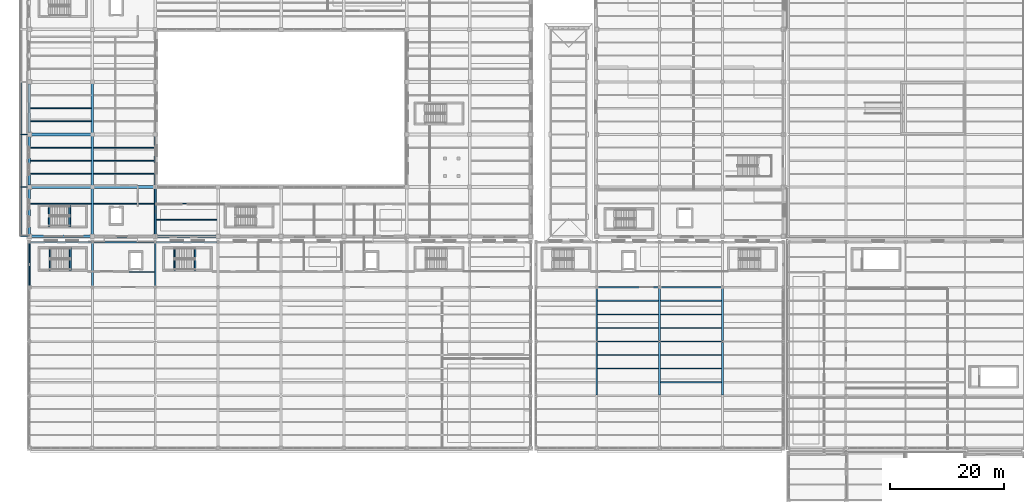
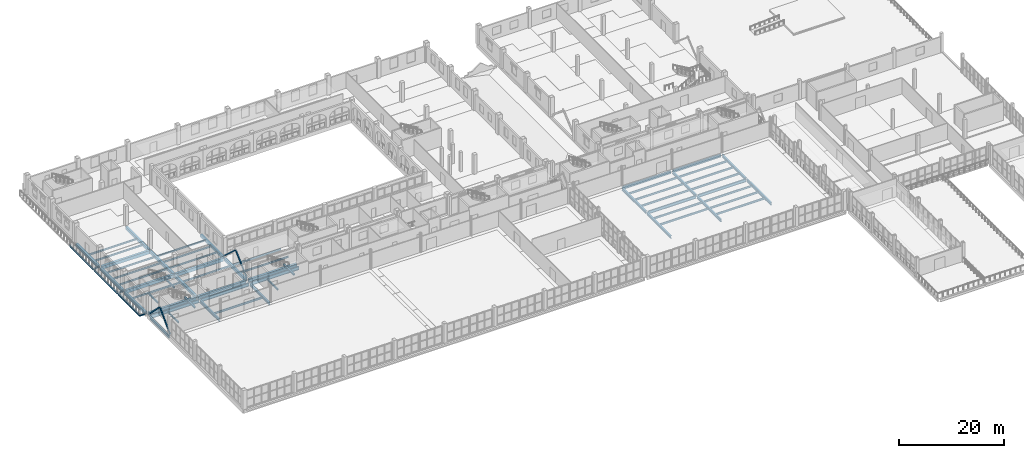
# One storey, part 42 of 156: 66 beams, 4 members.
"""IFC4 building model written with IfcOpenShell, lengths in metres."""

from ifc_helpers import new_model, si_unit, direction, frame, origin, origin_2d, place, context, subcontext, project, spatial, rectangle, hollow_rectangle, i_section, extrude, material, material_profile, profile_set, type_object, element, save


model = new_model("IFC4")

# Units and contexts
model_context = context("Model", 3, precision=1e-05, world=origin(), true_north=direction((0.0, 1.0)))
body_context = subcontext(model_context, "Body", "Model", "MODEL_VIEW")
ifc_project = project(units=[si_unit("LENGTHUNIT", "METRE"), si_unit("AREAUNIT", "SQUARE_METRE"), si_unit("VOLUMEUNIT", "CUBIC_METRE"), si_unit("PLANEANGLEUNIT", "RADIAN"), si_unit("MASSUNIT", "GRAM", prefix="KILO")], contexts=[model_context])

# Site, building, storey
site_placement = place(None, origin())
site = spatial("IfcSite", under=ifc_project, at=site_placement, CompositionType="ELEMENT")
building_placement = place(site_placement, origin())
building = spatial("IfcBuilding", under=site, at=building_placement, Name="Caurita Quay Ferry Terminal", CompositionType="ELEMENT")
storey_placement = place(building_placement, frame((0.0, 0.0, 5.39990234375)))
storey = spatial("IfcBuildingStorey", under=building, at=storey_placement, Name="L01", CompositionType="ELEMENT", Elevation=5.39990234375)

# Beams
ifc_material_1 = material(Name="Structural steel ASTM A992 Gr. 50", Category="steel")
ifc_material_profile_1 = material_profile(ifc_material_1, i_section(OverallWidth=0.193115234375, OverallDepth=0.46728515625, WebThickness=0.011474609375, FlangeThickness=0.01904296875, FilletRadius=0.0126953125, at=origin_2d()), Name="W18X65")
ifc_profile_set_1 = profile_set([ifc_material_profile_1], Name="Structural steel ASTM A992 Gr. 50")
beam_type_1 = type_object("IfcBeamType", Name="BM-GR-W18A", PredefinedType="BEAM", material=ifc_profile_set_1)
beam_1_placement = place(storey_placement, frame((-1.419921875, 71.7021484375, -0.45361328125), z_axis=(0.0, 1.0, 0.0), x_axis=(-1.0, 0.0, 0.0)))
element("IfcBeam", 1, at=beam_1_placement, inside=storey, type_object=beam_type_1, Name="L01 Balcony Front Edge Beam 07", PredefinedType="BEAM", context=body_context, shape_type="SweptSolid", body=[
    extrude(i_section(OverallWidth=0.193115234375, OverallDepth=0.46728515625, WebThickness=0.011474609375, FlangeThickness=0.01904296875, FilletRadius=0.0126953125, at=origin_2d()), origin(), (0.0, 0.0, 1.0), 8.395751953125),
])
for number, where, z_axis, x_axis, name in (
    (2, (-1.419921875, 80.30224609375, -0.45361328125), (0.0, 1.0, 0.0), (-1.0, 0.0, 0.0), "L01 Balcony Front Edge Beam 08"),
    (3, (-1.419921875, 89.502197265625, -0.45361328125), (0.0, 1.0, 0.0), (-1.0, 0.0, 0.0), "L01 Balcony Front Edge Beam 09"),
):
    element("IfcBeam", number, at=place(storey_placement, frame(where, z_axis=z_axis, x_axis=x_axis)), inside=storey, type_object=beam_type_1, Name=name, PredefinedType="BEAM", context=body_context, shape_type="SweptSolid", body=[
        extrude(i_section(OverallWidth=0.193115234375, OverallDepth=0.46728515625, WebThickness=0.011474609375, FlangeThickness=0.01904296875, FilletRadius=0.0126953125, at=origin_2d()), origin(), (0.0, 0.0, 1.0), 8.99560546875),
    ])
ifc_material_profile_2 = material_profile(ifc_material_1, i_section(OverallWidth=0.3251953125, OverallDepth=0.612060546875, WebThickness=0.0126953125, FlangeThickness=0.01904296875, FilletRadius=0.01513671875, at=origin_2d()), Name="W24X104")
ifc_profile_set_2 = profile_set([ifc_material_profile_2], Name="Structural steel ASTM A992 Gr. 50")
beam_type_2 = type_object("IfcBeamType", Name="BM-GR-W24A", PredefinedType="BEAM", material=ifc_profile_set_2)
for number, where, z_axis, x_axis, name in (
    (4, (0.0, 62.916015625, -0.60595703125), (0.0, 1.0, 0.0), (-1.0, 0.0, 0.0), "L01 Beam BM-V1-L01-Y-0-629"),
    (5, (11.0, 62.916015625, -0.60595703125), (0.0, 1.0, 0.0), (-1.0, 0.0, 0.0), "L01 Beam BM-V1-L01-Y-110-629"),
    (6, (22.0, 62.916015625, -0.60595703125), (0.0, 1.0, 0.0), (-1.0, 0.0, 0.0), "L01 Beam BM-V1-L01-Y-220-629"),
):
    element("IfcBeam", number, at=place(storey_placement, frame(where, z_axis=z_axis, x_axis=x_axis)), inside=storey, type_object=beam_type_2, Name=name, PredefinedType="BEAM", context=body_context, shape_type="SweptSolid", body=[
        extrude(i_section(OverallWidth=0.3251953125, OverallDepth=0.612060546875, WebThickness=0.0126953125, FlangeThickness=0.01904296875, FilletRadius=0.01513671875, at=origin_2d()), origin(), (0.0, 0.0, 1.0), 7.5166015625),
    ])
beam_2_placement = place(storey_placement, frame((99.199951171875, 43.86181640625, -0.60595703125), z_axis=(0.0, 1.0, 0.0), x_axis=(-1.0, 0.0, 0.0)))
element("IfcBeam", 7, at=beam_2_placement, inside=storey, type_object=beam_type_2, Name="L01 Beam BM-V2-L01-Y-992-439", PredefinedType="BEAM", context=body_context, shape_type="SweptSolid", body=[
    extrude(i_section(OverallWidth=0.3251953125, OverallDepth=0.612060546875, WebThickness=0.0126953125, FlangeThickness=0.01904296875, FilletRadius=0.01513671875, at=origin_2d()), origin(), (0.0, 0.0, 1.0), 9.17626953125),
])
beam_3_placement = place(storey_placement, frame((99.199951171875, 53.36181640625, -0.60595703125), z_axis=(0.0, 1.0, 0.0), x_axis=(-1.0, 0.0, 0.0)))
element("IfcBeam", 8, at=beam_3_placement, inside=storey, type_object=beam_type_2, Name="L01 Beam BM-V2-L01-Y-992-534", PredefinedType="BEAM", context=body_context, shape_type="SweptSolid", body=[
    extrude(i_section(OverallWidth=0.3251953125, OverallDepth=0.612060546875, WebThickness=0.0126953125, FlangeThickness=0.01904296875, FilletRadius=0.01513671875, at=origin_2d()), origin(), (0.0, 0.0, 1.0), 9.122314453125),
])
beam_4_placement = place(storey_placement, frame((110.199951171875, 43.86181640625, -0.60595703125), z_axis=(0.0, 1.0, 0.0), x_axis=(-1.0, 0.0, 0.0)))
element("IfcBeam", 9, at=beam_4_placement, inside=storey, type_object=beam_type_2, Name="L01 Beam BM-V2-L01-Y-1102-439", PredefinedType="BEAM", context=body_context, shape_type="SweptSolid", body=[
    extrude(i_section(OverallWidth=0.3251953125, OverallDepth=0.612060546875, WebThickness=0.0126953125, FlangeThickness=0.01904296875, FilletRadius=0.01513671875, at=origin_2d()), origin(), (0.0, 0.0, 1.0), 9.17626953125),
])
beam_5_placement = place(storey_placement, frame((110.199951171875, 53.36181640625, -0.60595703125), z_axis=(0.0, 1.0, 0.0), x_axis=(-1.0, 0.0, 0.0)))
element("IfcBeam", 10, at=beam_5_placement, inside=storey, type_object=beam_type_2, Name="L01 Beam BM-V2-L01-Y-1102-534", PredefinedType="BEAM", context=body_context, shape_type="SweptSolid", body=[
    extrude(i_section(OverallWidth=0.3251953125, OverallDepth=0.612060546875, WebThickness=0.0126953125, FlangeThickness=0.01904296875, FilletRadius=0.01513671875, at=origin_2d()), origin(), (0.0, 0.0, 1.0), 9.122314453125),
])
beam_6_placement = place(storey_placement, frame((121.199951171875, 43.86181640625, -0.60595703125), z_axis=(0.0, 1.0, 0.0), x_axis=(-1.0, 0.0, 0.0)))
element("IfcBeam", 11, at=beam_6_placement, inside=storey, type_object=beam_type_2, Name="L01 Beam BM-V2-L01-Y-1212-439", PredefinedType="BEAM", context=body_context, shape_type="SweptSolid", body=[
    extrude(i_section(OverallWidth=0.3251953125, OverallDepth=0.612060546875, WebThickness=0.0126953125, FlangeThickness=0.01904296875, FilletRadius=0.01513671875, at=origin_2d()), origin(), (0.0, 0.0, 1.0), 9.17626953125),
])
beam_7_placement = place(storey_placement, frame((121.199951171875, 53.36181640625, -0.60595703125), z_axis=(0.0, 1.0, 0.0), x_axis=(-1.0, 0.0, 0.0)))
element("IfcBeam", 12, at=beam_7_placement, inside=storey, type_object=beam_type_2, Name="L01 Beam BM-V2-L01-Y-1212-534", PredefinedType="BEAM", context=body_context, shape_type="SweptSolid", body=[
    extrude(i_section(OverallWidth=0.3251953125, OverallDepth=0.612060546875, WebThickness=0.0126953125, FlangeThickness=0.01904296875, FilletRadius=0.01513671875, at=origin_2d()), origin(), (0.0, 0.0, 1.0), 9.122314453125),
])
ifc_material_profile_3 = material_profile(ifc_material_1, i_section(OverallWidth=0.256591796875, OverallDepth=0.693359375, WebThickness=0.014404296875, FlangeThickness=0.023681640625, FilletRadius=0.017822265625, at=origin_2d()), Name="W27X114")
ifc_profile_set_3 = profile_set([ifc_material_profile_3], Name="Structural steel ASTM A992 Gr. 50")
beam_type_3 = type_object("IfcBeamType", Name="BM-GR-W27A", PredefinedType="BEAM", material=ifc_profile_set_3)
for number, where, z_axis, x_axis, name in (
    (13, (99.368408203125, 53.199951171875, -0.646484375), (1.0, 0.0, 0.0), (0.0, 1.0, 0.0), "L01 Beam BM-V2-L01-X-994-532"),
    (14, (110.368408203125, 53.199951171875, -0.646484375), (1.0, 0.0, 0.0), (0.0, 1.0, 0.0), "L01 Beam BM-V2-L01-X-1104-532"),
):
    element("IfcBeam", number, at=place(storey_placement, frame(where, z_axis=z_axis, x_axis=x_axis)), inside=storey, type_object=beam_type_3, Name=name, PredefinedType="BEAM", context=body_context, shape_type="SweptSolid", body=[
        extrude(i_section(OverallWidth=0.256591796875, OverallDepth=0.693359375, WebThickness=0.014404296875, FlangeThickness=0.023681640625, FilletRadius=0.017822265625, at=origin_2d()), origin(), (0.0, 0.0, 1.0), 10.663330078125),
    ])
for number, where, z_axis, x_axis, name in (
    (15, (99.416015625, 62.699951171875, -0.646484375), (1.0, 0.0, 0.0), (0.0, 1.0, 0.0), "L01 Beam BM-V2-L01-X-994-627"),
    (16, (110.416015625, 62.699951171875, -0.646484375), (1.0, 0.0, 0.0), (0.0, 1.0, 0.0), "L01 Beam BM-V2-L01-X-1104-627"),
):
    element("IfcBeam", number, at=place(storey_placement, frame(where, z_axis=z_axis, x_axis=x_axis)), inside=storey, type_object=beam_type_3, Name=name, PredefinedType="BEAM", context=body_context, shape_type="SweptSolid", body=[
        extrude(i_section(OverallWidth=0.256591796875, OverallDepth=0.693359375, WebThickness=0.014404296875, FlangeThickness=0.023681640625, FilletRadius=0.017822265625, at=origin_2d()), origin(), (0.0, 0.0, 1.0), 10.568115234375),
    ])
ifc_material_profile_4 = material_profile(ifc_material_1, i_section(OverallWidth=0.2666015625, OverallDepth=0.77978515625, WebThickness=0.0166015625, FlangeThickness=0.030029296875, FilletRadius=0.01904296875, at=origin_2d()), Name="W30X148")
ifc_profile_set_4 = profile_set([ifc_material_profile_4], Name="Structural steel ASTM A992 Gr. 50")
beam_type_4 = type_object("IfcBeamType", Name="BM-GR-W30A", PredefinedType="BEAM", material=ifc_profile_set_4)
for number, where, z_axis, x_axis, name in (
    (17, (0.16943359375, 70.60009765625, -0.689697265625), (1.0, 0.0, 0.0), (0.0, 1.0, 0.0), "L01 Beam BM-V1-L01-X-2-706"),
    (18, (11.16943359375, 70.60009765625, -0.689697265625), (1.0, 0.0, 0.0), (0.0, 1.0, 0.0), "L01 Beam BM-V1-L01-X-112-706"),
    (19, (22.16943359375, 70.60009765625, -0.689697265625), (1.0, 0.0, 0.0), (0.0, 1.0, 0.0), "L01 Beam BM-V1-L01-X-222-706"),
):
    element("IfcBeam", number, at=place(storey_placement, frame(where, z_axis=z_axis, x_axis=x_axis)), inside=storey, type_object=beam_type_4, Name=name, PredefinedType="BEAM", context=body_context, shape_type="SweptSolid", body=[
        extrude(i_section(OverallWidth=0.2666015625, OverallDepth=0.77978515625, WebThickness=0.0166015625, FlangeThickness=0.030029296875, FilletRadius=0.01904296875, at=origin_2d()), origin(), (0.0, 0.0, 1.0), 10.6611328125),
    ])
ifc_material_profile_5 = material_profile(ifc_material_1, i_section(OverallWidth=0.1787109375, OverallDepth=0.408935546875, WebThickness=0.0087890625, FlangeThickness=0.014404296875, FilletRadius=0.011474609375, at=origin_2d()), Name="W16X45")
ifc_profile_set_5 = profile_set([ifc_material_profile_5], Name="Structural steel ASTM A992 Gr. 50")
beam_type_5 = type_object("IfcBeamType", Name="BM-JS-W16A", PredefinedType="JOIST", material=ifc_profile_set_5)
for number, where, z_axis, x_axis, name in (
    (20, (0.22509765625, 77.333251953125, -0.42431640625), (1.0, 0.0, 0.0), (0.0, 1.0, 0.0), "L01 Beam JS-V5-L01-001"),
    (21, (0.22509765625, 82.5, -0.42431640625), (1.0, 0.0, 0.0), (0.0, 1.0, 0.0), "L01 Beam JS-V5-L01-002"),
    (22, (0.22509765625, 84.800048828125, -0.42431640625), (1.0, 0.0, 0.0), (0.0, 1.0, 0.0), "L01 Beam JS-V5-L01-003"),
    (23, (0.22509765625, 87.10009765625, -0.42431640625), (1.0, 0.0, 0.0), (0.0, 1.0, 0.0), "L01 Beam JS-V5-L01-004"),
    (24, (0.22509765625, 91.699951171875, -0.42431640625), (1.0, 0.0, 0.0), (0.0, 1.0, 0.0), "L01 Beam JS-V5-L01-005"),
    (25, (0.22509765625, 94.0, -0.42431640625), (1.0, 0.0, 0.0), (0.0, 1.0, 0.0), "L01 Beam JS-V5-L01-006"),
    (26, (11.22509765625, 77.333251953125, -0.42431640625), (1.0, 0.0, 0.0), (0.0, 1.0, 0.0), "L01 Beam JS-V5-L01-012"),
    (27, (11.22509765625, 82.5, -0.42431640625), (1.0, 0.0, 0.0), (0.0, 1.0, 0.0), "L01 Beam JS-V5-L01-013"),
    (28, (11.22509765625, 84.800048828125, -0.42431640625), (1.0, 0.0, 0.0), (0.0, 1.0, 0.0), "L01 Beam JS-V5-L01-014"),
    (29, (11.22509765625, 87.10009765625, -0.42431640625), (1.0, 0.0, 0.0), (0.0, 1.0, 0.0), "L01 Beam JS-V5-L01-015"),
    (30, (22.22509765625, 74.466796875, -0.42431640625), (1.0, 0.0, 0.0), (0.0, 1.0, 0.0), "L01 Beam JS-V5-L01-023"),
    (31, (22.22509765625, 77.333251953125, -0.42431640625), (1.0, 0.0, 0.0), (0.0, 1.0, 0.0), "L01 Beam JS-V5-L01-024"),
):
    element("IfcBeam", number, at=place(storey_placement, frame(where, z_axis=z_axis, x_axis=x_axis)), inside=storey, type_object=beam_type_5, Name=name, PredefinedType="JOIST", context=body_context, shape_type="SweptSolid", body=[
        extrude(i_section(OverallWidth=0.1787109375, OverallDepth=0.408935546875, WebThickness=0.0087890625, FlangeThickness=0.014404296875, FilletRadius=0.011474609375, at=origin_2d()), origin(), (0.0, 0.0, 1.0), 10.5498046875),
    ])
ifc_material_profile_6 = material_profile(ifc_material_1, i_section(OverallWidth=0.1904296875, OverallDepth=0.457275390625, WebThickness=0.009033203125, FlangeThickness=0.014404296875, FilletRadius=0.0126953125, at=origin_2d()), Name="W18X50")
ifc_profile_set_6 = profile_set([ifc_material_profile_6], Name="Structural steel ASTM A992 Gr. 50")
beam_type_6 = type_object("IfcBeamType", Name="BM-JS-W18B", PredefinedType="JOIST", material=ifc_profile_set_6)
beam_8_placement = place(storey_placement, frame((11.16259765625, 65.333251953125, -0.528564453125), z_axis=(1.0, 0.0, 0.0), x_axis=(0.0, 1.0, 0.0)))
element("IfcBeam", 32, at=beam_8_placement, inside=storey, type_object=beam_type_6, Name="L01 Beam JS-V1-L01-019", PredefinedType="JOIST", context=body_context, shape_type="SweptSolid", body=[
    extrude(i_section(OverallWidth=0.1904296875, OverallDepth=0.457275390625, WebThickness=0.009033203125, FlangeThickness=0.014404296875, FilletRadius=0.0126953125, at=origin_2d()), origin(), (0.0, 0.0, 1.0), 10.6748046875),
])
for number, where, z_axis, x_axis, name in (
    (33, (99.362548828125, 48.449951171875, -0.528564453125), (1.0, 0.0, 0.0), (0.0, 1.0, 0.0), "L01 Beam JS-V2-L01-014"),
    (34, (99.362548828125, 50.824951171875, -0.528564453125), (1.0, 0.0, 0.0), (0.0, 1.0, 0.0), "L01 Beam JS-V2-L01-015"),
    (35, (99.362548828125, 55.574951171875, -0.528564453125), (1.0, 0.0, 0.0), (0.0, 1.0, 0.0), "L01 Beam JS-V2-L01-016"),
    (36, (99.362548828125, 57.949951171875, -0.528564453125), (1.0, 0.0, 0.0), (0.0, 1.0, 0.0), "L01 Beam JS-V2-L01-017"),
    (37, (99.362548828125, 60.324951171875, -0.528564453125), (1.0, 0.0, 0.0), (0.0, 1.0, 0.0), "L01 Beam JS-V2-L01-018"),
    (38, (110.362548828125, 46.074951171875, -0.528564453125), (1.0, 0.0, 0.0), (0.0, 1.0, 0.0), "L01 Beam JS-V2-L01-023"),
    (39, (110.362548828125, 48.449951171875, -0.528564453125), (1.0, 0.0, 0.0), (0.0, 1.0, 0.0), "L01 Beam JS-V2-L01-024"),
    (40, (110.362548828125, 50.824951171875, -0.528564453125), (1.0, 0.0, 0.0), (0.0, 1.0, 0.0), "L01 Beam JS-V2-L01-025"),
    (41, (110.362548828125, 55.574951171875, -0.528564453125), (1.0, 0.0, 0.0), (0.0, 1.0, 0.0), "L01 Beam JS-V2-L01-026"),
    (42, (110.362548828125, 57.949951171875, -0.528564453125), (1.0, 0.0, 0.0), (0.0, 1.0, 0.0), "L01 Beam JS-V2-L01-027"),
    (43, (110.362548828125, 60.324951171875, -0.528564453125), (1.0, 0.0, 0.0), (0.0, 1.0, 0.0), "L01 Beam JS-V2-L01-028"),
):
    element("IfcBeam", number, at=place(storey_placement, frame(where, z_axis=z_axis, x_axis=x_axis)), inside=storey, type_object=beam_type_6, Name=name, PredefinedType="JOIST", context=body_context, shape_type="SweptSolid", body=[
        extrude(i_section(OverallWidth=0.1904296875, OverallDepth=0.457275390625, WebThickness=0.009033203125, FlangeThickness=0.014404296875, FilletRadius=0.0126953125, at=origin_2d()), origin(), (0.0, 0.0, 1.0), 10.675048828125),
    ])
ifc_material_profile_7 = material_profile(ifc_material_1, i_section(OverallWidth=0.20458984375, OverallDepth=0.307373046875, WebThickness=0.008544921875, FlangeThickness=0.0146484375, FilletRadius=0.0126953125, at=origin_2d()), Name="W12X45")
ifc_profile_set_7 = profile_set([ifc_material_profile_7], Name="Structural steel ASTM A992 Gr. 50")
beam_type_7 = type_object("IfcBeamType", Name="BM-OUT-W12", PredefinedType="BEAM", material=ifc_profile_set_7)
for number, where, z_axis, x_axis, name in (
    (44, (-0.179931640625, 71.60009765625, -0.37353515625), (-1.0, 0.0, 0.0), (0.0, -1.0, 0.0), "L01 Balcony Outrigger Cantilever 09"),
    (45, (-0.179931640625, 80.199951171875, -0.37353515625), (-1.0, 0.0, 0.0), (0.0, -1.0, 0.0), "L01 Balcony Outrigger Cantilever 10"),
    (46, (-0.179931640625, 89.39990234375, -0.37353515625), (-1.0, 0.0, 0.0), (0.0, -1.0, 0.0), "L01 Balcony Outrigger Cantilever 11"),
):
    element("IfcBeam", number, at=place(storey_placement, frame(where, z_axis=z_axis, x_axis=x_axis)), inside=storey, type_object=beam_type_7, Name=name, PredefinedType="BEAM", context=body_context, shape_type="SweptSolid", body=[
        extrude(i_section(OverallWidth=0.20458984375, OverallDepth=0.307373046875, WebThickness=0.008544921875, FlangeThickness=0.0146484375, FilletRadius=0.0126953125, at=origin_2d()), origin(), (0.0, 0.0, 1.0), 1.3701171875),
    ])
ifc_material_2 = material(Name="Reinforced concrete C35/45", Category="concrete")
ifc_material_profile_8 = material_profile(ifc_material_2, rectangle(XDim=0.449951171875, YDim=0.64990234375, at=origin_2d()), Name="RC-BM-450X650")
ifc_profile_set_8 = profile_set([ifc_material_profile_8], Name="Reinforced concrete C35/45")
beam_type_8 = type_object("IfcBeamType", Name="BM-RC-4565", PredefinedType="BEAM", material=ifc_profile_set_8)
beam_9_placement = place(storey_placement, frame((0.0, 71.93994140625, -0.544921875), z_axis=(0.0, 1.0, 0.0), x_axis=(-1.0, 0.0, 0.0)))
element("IfcBeam", 47, at=beam_9_placement, inside=storey, type_object=beam_type_8, Name="L01 Beam BM-V5-L01-Y-0-719", PredefinedType="BEAM", context=body_context, shape_type="SweptSolid", body=[
    extrude(rectangle(XDim=0.449951171875, YDim=0.64990234375, at=origin_2d()), origin(), (0.0, 0.0, 1.0), 7.920166015625),
])
for number, where, z_axis, x_axis, name in (
    (48, (0.0, 80.5400390625, -0.544921875), (0.0, 1.0, 0.0), (-1.0, 0.0, 0.0), "L01 Beam BM-V5-L01-Y-0-805"),
    (49, (0.0, 89.739990234375, -0.544921875), (0.0, 1.0, 0.0), (-1.0, 0.0, 0.0), "L01 Beam BM-V5-L01-Y-0-897"),
):
    element("IfcBeam", number, at=place(storey_placement, frame(where, z_axis=z_axis, x_axis=x_axis)), inside=storey, type_object=beam_type_8, Name=name, PredefinedType="BEAM", context=body_context, shape_type="SweptSolid", body=[
        extrude(rectangle(XDim=0.449951171875, YDim=0.64990234375, at=origin_2d()), origin(), (0.0, 0.0, 1.0), 8.52001953125),
    ])
beam_10_placement = place(storey_placement, frame((11.0, 71.784423828125, -0.544921875), z_axis=(0.0, 1.0, 0.0), x_axis=(-1.0, 0.0, 0.0)))
element("IfcBeam", 50, at=beam_10_placement, inside=storey, type_object=beam_type_8, Name="L01 Beam BM-V5-L01-Y-110-718", PredefinedType="BEAM", context=body_context, shape_type="SweptSolid", body=[
    extrude(rectangle(XDim=0.449951171875, YDim=0.64990234375, at=origin_2d()), origin(), (0.0, 0.0, 1.0), 8.231201171875),
])
for number, where, z_axis, x_axis, name in (
    (51, (11.0, 80.384521484375, -0.544921875), (0.0, 1.0, 0.0), (-1.0, 0.0, 0.0), "L01 Beam BM-V5-L01-Y-110-804"),
    (52, (11.0, 89.58447265625, -0.544921875), (0.0, 1.0, 0.0), (-1.0, 0.0, 0.0), "L01 Beam BM-V5-L01-Y-110-896"),
):
    element("IfcBeam", number, at=place(storey_placement, frame(where, z_axis=z_axis, x_axis=x_axis)), inside=storey, type_object=beam_type_8, Name=name, PredefinedType="BEAM", context=body_context, shape_type="SweptSolid", body=[
        extrude(rectangle(XDim=0.449951171875, YDim=0.64990234375, at=origin_2d()), origin(), (0.0, 0.0, 1.0), 8.8310546875),
    ])
beam_11_placement = place(storey_placement, frame((22.0, 71.93994140625, -0.544921875), z_axis=(0.0, 1.0, 0.0), x_axis=(-1.0, 0.0, 0.0)))
element("IfcBeam", 53, at=beam_11_placement, inside=storey, type_object=beam_type_8, Name="L01 Beam BM-V5-L01-Y-220-719", PredefinedType="BEAM", context=body_context, shape_type="SweptSolid", body=[
    extrude(rectangle(XDim=0.449951171875, YDim=0.64990234375, at=origin_2d()), origin(), (0.0, 0.0, 1.0), 7.920166015625),
])
beam_12_placement = place(storey_placement, frame((22.0, 80.5400390625, -0.544921875), z_axis=(0.0, 1.0, 0.0), x_axis=(-1.0, 0.0, 0.0)))
element("IfcBeam", 54, at=beam_12_placement, inside=storey, type_object=beam_type_8, Name="L01 Beam BM-V5-L01-Y-220-805", PredefinedType="BEAM", context=body_context, shape_type="SweptSolid", body=[
    extrude(rectangle(XDim=0.449951171875, YDim=0.64990234375, at=origin_2d()), origin(), (0.0, 0.0, 1.0), 8.52001953125),
])
ifc_material_profile_9 = material_profile(ifc_material_2, rectangle(XDim=0.5, YDim=0.75, at=origin_2d()), Name="RC-BM-500X750")
ifc_profile_set_9 = profile_set([ifc_material_profile_9], Name="Reinforced concrete C35/45")
beam_type_9 = type_object("IfcBeamType", Name="BM-RC-5075", PredefinedType="BEAM", material=ifc_profile_set_9)
for number, where, z_axis, x_axis, name in (
    (55, (0.340087890625, 71.60009765625, -0.594970703125), (1.0, 0.0, 0.0), (0.0, 1.0, 0.0), "L01 Beam BM-V5-L01-X-3-716"),
    (56, (11.1748046875, 71.60009765625, -0.594970703125), (1.0, 0.0, 0.0), (0.0, 1.0, 0.0), "L01 Beam BM-V5-L01-X-112-716"),
    (57, (22.340087890625, 71.60009765625, -0.594970703125), (1.0, 0.0, 0.0), (0.0, 1.0, 0.0), "L01 Beam BM-V5-L01-X-223-716"),
    (58, (0.340087890625, 80.199951171875, -0.594970703125), (1.0, 0.0, 0.0), (0.0, 1.0, 0.0), "L01 Beam BM-V5-L01-X-3-802"),
    (59, (11.1748046875, 80.199951171875, -0.594970703125), (1.0, 0.0, 0.0), (0.0, 1.0, 0.0), "L01 Beam BM-V5-L01-X-112-802"),
    (60, (0.340087890625, 89.39990234375, -0.594970703125), (1.0, 0.0, 0.0), (0.0, 1.0, 0.0), "L01 Beam BM-V5-L01-X-3-894"),
):
    element("IfcBeam", number, at=place(storey_placement, frame(where, z_axis=z_axis, x_axis=x_axis)), inside=storey, type_object=beam_type_9, Name=name, PredefinedType="BEAM", context=body_context, shape_type="SweptSolid", body=[
        extrude(rectangle(XDim=0.5, YDim=0.75, at=origin_2d()), origin(), (0.0, 0.0, 1.0), 10.485107421875),
    ])
ifc_material_profile_10 = material_profile(ifc_material_2, rectangle(XDim=0.25, YDim=0.300048828125, at=origin_2d()), Name="RC-LN-250X300")
ifc_profile_set_10 = profile_set([ifc_material_profile_10], Name="Reinforced concrete C35/45")
beam_type_10 = type_object("IfcBeamType", Name="LN-RC-2530", PredefinedType="LINTEL", material=ifc_profile_set_10)
beam_13_placement = place(storey_placement, frame((3.449951171875, 73.25, -0.14990234375), z_axis=(0.0, 1.0, 0.0), x_axis=(-1.0, 0.0, 0.0)))
element("IfcBeam", 61, at=beam_13_placement, inside=storey, type_object=beam_type_10, Name="L01 Stair ST-02 Landing Trimmer Beam", PredefinedType="LINTEL", context=body_context, shape_type="SweptSolid", body=[
    extrude(rectangle(XDim=0.25, YDim=0.300048828125, at=origin_2d()), origin(), (0.0, 0.0, 1.0), 3.760009765625),
])
for number, where, z_axis, x_axis, name in (
    (62, (3.550048828125, 65.64990234375, -0.14990234375), (0.0, 1.0, 0.0), (-1.0, 0.0, 0.0), "L01 Stair ST-05 Landing Trimmer Beam"),
    (63, (25.35009765625, 65.64990234375, -0.14990234375), (0.0, 1.0, 0.0), (-1.0, 0.0, 0.0), "L01 Stair ST-06 Landing Trimmer Beam"),
):
    element("IfcBeam", number, at=place(storey_placement, frame(where, z_axis=z_axis, x_axis=x_axis)), inside=storey, type_object=beam_type_10, Name=name, PredefinedType="LINTEL", context=body_context, shape_type="SweptSolid", body=[
        extrude(rectangle(XDim=0.25, YDim=0.300048828125, at=origin_2d()), origin(), (0.0, 0.0, 1.0), 3.960205078125),
    ])
ifc_material_profile_11 = material_profile(ifc_material_2, rectangle(XDim=0.300048828125, YDim=0.35009765625, at=origin_2d()), Name="RC-LN-300X350")
ifc_profile_set_11 = profile_set([ifc_material_profile_11], Name="Reinforced concrete C35/45")
beam_type_11 = type_object("IfcBeamType", Name="LN-RC-3035", PredefinedType="LINTEL", material=ifc_profile_set_11)
beam_14_placement = place(storey_placement, frame((7.050048828125, 73.25, 2.0751953125), z_axis=(0.0, 1.0, 0.0), x_axis=(-1.0, 0.0, 0.0)))
element("IfcBeam", 64, at=beam_14_placement, inside=storey, type_object=beam_type_11, Name="L01 Stair ST-02 Half-Landing Beam 1", PredefinedType="LINTEL", context=body_context, shape_type="SweptSolid", body=[
    extrude(rectangle(XDim=0.300048828125, YDim=0.35009765625, at=origin_2d()), origin(), (0.0, 0.0, 1.0), 3.760009765625),
])
for number, where, z_axis, x_axis, name in (
    (65, (7.14990234375, 65.64990234375, 2.0751953125), (0.0, 1.0, 0.0), (-1.0, 0.0, 0.0), "L01 Stair ST-05 Half-Landing Beam 1"),
    (66, (28.949951171875, 65.64990234375, 2.0751953125), (0.0, 1.0, 0.0), (-1.0, 0.0, 0.0), "L01 Stair ST-06 Half-Landing Beam 1"),
):
    element("IfcBeam", number, at=place(storey_placement, frame(where, z_axis=z_axis, x_axis=x_axis)), inside=storey, type_object=beam_type_11, Name=name, PredefinedType="LINTEL", context=body_context, shape_type="SweptSolid", body=[
        extrude(rectangle(XDim=0.300048828125, YDim=0.35009765625, at=origin_2d()), origin(), (0.0, 0.0, 1.0), 3.960205078125),
    ])

# Members
ifc_material_3 = material(Name="Hollow structural steel ASTM A500 Gr. C", Category="steel")
ifc_material_profile_12 = material_profile(ifc_material_3, hollow_rectangle(XDim=0.25390625, YDim=0.25390625, WallThickness=0.01171875, InnerFilletRadius=0.01171875, OuterFilletRadius=0.023681640625, at=origin_2d()), Name="HSS10X10X1/2")
ifc_profile_set_12 = profile_set([ifc_material_profile_12], Name="Hollow structural steel ASTM A500 Gr. C")
member_type = type_object("IfcMemberType", Name="MEM-BRC-10", PredefinedType="BRACE", material=ifc_profile_set_12)
member_1_placement = place(storey_placement, frame((0.0, 62.699951171875, 0.1201171875), z_axis=(0.0, 0.701751624873, 0.71242168481), x_axis=(-1.0, 0.0, 0.0)))
element("IfcMember", 67, at=member_1_placement, inside=storey, type_object=member_type, Name="L01 Chevron Seismic Brace 11A", PredefinedType="BRACE", context=body_context, shape_type="SweptSolid", body=[
    extrude(hollow_rectangle(XDim=0.25390625, YDim=0.25390625, WallThickness=0.01171875, InnerFilletRadius=0.01171875, OuterFilletRadius=0.023681640625, at=origin_2d()), origin(), (0.0, 0.0, 1.0), 5.628662109375),
])
member_2_placement = place(storey_placement, frame((0.0, 70.60009765625, 0.1201171875), z_axis=(0.0, -0.701773638226, 0.712400000485), x_axis=(1.0, 0.0, 0.0)))
element("IfcMember", 68, at=member_2_placement, inside=storey, type_object=member_type, Name="L01 Chevron Seismic Brace 11B", PredefinedType="BRACE", context=body_context, shape_type="SweptSolid", body=[
    extrude(hollow_rectangle(XDim=0.25390625, YDim=0.25390625, WallThickness=0.01171875, InnerFilletRadius=0.01171875, OuterFilletRadius=0.023681640625, at=origin_2d()), origin(), (0.0, 0.0, 1.0), 5.62890625),
])
for number, where, z_axis, x_axis, name in (
    (69, (22.0, 71.60009765625, 0.1201171875), (0.0, 0.739854529648, 0.6727668801), (-1.0, 0.0, 0.0), "L01 Chevron Seismic Brace 18A"),
    (70, (22.0, 80.199951171875, 0.1201171875), (0.0, -0.739873542472, 0.672745970742), (1.0, 0.0, 0.0), "L01 Chevron Seismic Brace 18B"),
):
    element("IfcMember", number, at=place(storey_placement, frame(where, z_axis=z_axis, x_axis=x_axis)), inside=storey, type_object=member_type, Name=name, PredefinedType="BRACE", context=body_context, shape_type="SweptSolid", body=[
        extrude(hollow_rectangle(XDim=0.25390625, YDim=0.25390625, WallThickness=0.01171875, InnerFilletRadius=0.01171875, OuterFilletRadius=0.023681640625, at=origin_2d()), origin(), (0.0, 0.0, 1.0), 5.811767578125),
    ])

save(model, "model.ifc")
